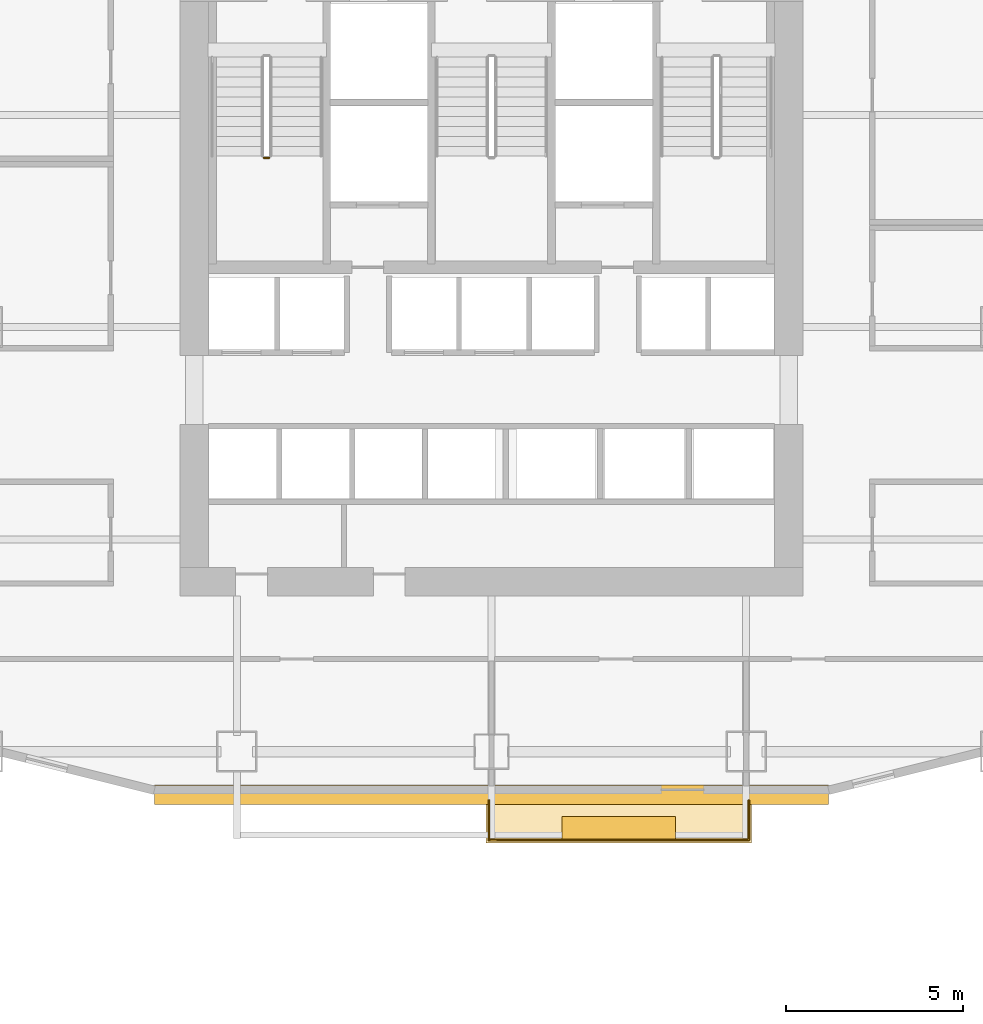
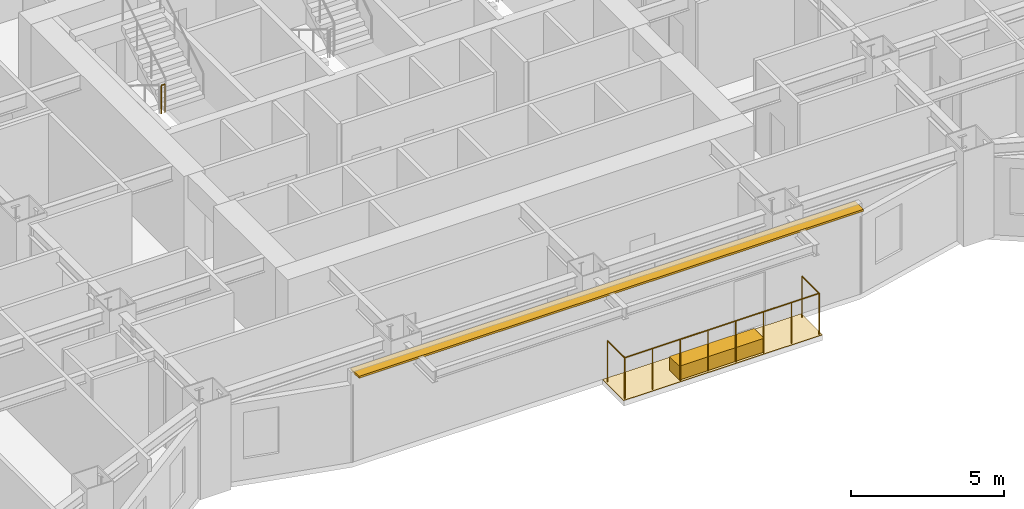
# One storey, part 14 of 17: 3 railings, 2 coverings, 1 shading device.
"""IFC4 building model written with IfcOpenShell, lengths in metres."""

from ifc_helpers import new_model, si_unit, direction, frame, origin, origin_2d, place, context, subcontext, project, spatial, polyline, rectangle, circle, outline, extrude, material, layer, layer_set, type_object, element, save


model = new_model("IFC4")

# Units and contexts
model_context = context("Model", 3, precision=1e-05, world=origin(), true_north=direction((0.0, 1.0)))
body_context = subcontext(model_context, "Body", "Model", "MODEL_VIEW")
ifc_project = project(units=[si_unit("LENGTHUNIT", "METRE"), si_unit("AREAUNIT", "SQUARE_METRE"), si_unit("VOLUMEUNIT", "CUBIC_METRE"), si_unit("PLANEANGLEUNIT", "RADIAN"), si_unit("MASSUNIT", "GRAM", prefix="KILO")], contexts=[model_context])

# Site, building, storey
site_placement = place(None, origin())
site = spatial("IfcSite", under=ifc_project, at=site_placement, CompositionType="ELEMENT")
building_placement = place(site_placement, origin())
building = spatial("IfcBuilding", under=site, at=building_placement, Name="Haolan Belvedere Tower", CompositionType="ELEMENT")
storey_placement = place(building_placement, frame((0.0, 0.0, 59.0)))
storey = spatial("IfcBuildingStorey", under=building, at=storey_placement, Name="L14", CompositionType="ELEMENT", Elevation=59.0)

# Coverings
ifc_material_1 = material(Name="Engineered lightweight planted garden soil substrate", Category="masonry")
ifc_layer_1 = layer(ifc_material_1, 0.550048828125, Name="Engineered lightweight planted garden soil substrate")
ifc_layer_set_1 = layer_set([ifc_layer_1], Name="Engineered lightweight planted garden soil substrate")
covering_type_1 = type_object("IfcCoveringType", Name="COV-PLANT-550", PredefinedType="MEMBRANE", material=ifc_layer_set_1)
covering_1_placement = place(storey_placement, frame((42.0, 19.43994140625, 0.0), z_axis=(0.0, 0.0, 1.0), x_axis=(1.0, 0.0, 0.0)))
element("IfcCovering", 1, at=covering_1_placement, inside=storey, type_object=covering_type_1, Name="L14 structural tree balcony PLANTER box 1", PredefinedType="MEMBRANE", context=body_context, shape_type="SweptSolid", body=[
    extrude(rectangle(XDim=3.199951171875, YDim=0.64990234375, at=origin_2d()), origin(), (0.0, 0.0, 1.0), 0.550048828125),
])
ifc_material_2 = material(Name="Elastomeric waterproof roofing membrane and stone pavers", Category="masonry")
ifc_layer_2 = layer(ifc_material_2, 0.02001953125, Name="Elastomeric waterproof roofing membrane and stone pavers")
ifc_layer_set_2 = layer_set([ifc_layer_2], Name="Elastomeric waterproof roofing membrane and stone pavers")
covering_type_2 = type_object("IfcCoveringType", Name="COV-ROOF-20", PredefinedType="ROOFING", material=ifc_layer_set_2)
covering_2_placement = place(storey_placement, frame((0.0, 0.0, -0.02001953125)))
element("IfcCovering", 2, at=covering_2_placement, inside=storey, type_object=covering_type_2, Name="L14 tree-balcony waterproof membrane 1", PredefinedType="ROOFING", context=body_context, shape_type="SweptSolid", body=[
    extrude(outline(polyline([(38.25, 19.02001953125), (45.75, 19.02001953125), (45.75, 20.39990234375), (38.25, 20.39990234375), (38.25, 19.02001953125)])), origin(), (0.0, 0.0, 1.0), 0.02001953125),
])

# Railings
ifc_material_3 = material(Name="Brushed stainless steel 304", Category="steel")
railing_type_1 = type_object("IfcRailingType", Name="RL-STAIR-GRD-1150", PredefinedType="GUARDRAIL", material=ifc_material_3)
railing_1_placement = place(storey_placement, frame((31.969970703125, 38.3798828125, 1.89990234375)))
element("IfcRailing", 3, at=railing_1_placement, inside=storey, type_object=railing_type_1, Name="L14 ST1 stair guard 2", PredefinedType="GUARDRAIL", context=body_context, shape_type="SweptSolid", body=[
    extrude(circle(Radius=0.02392578125, at=origin_2d()), frame((0.0, 0.0, 1.1259765625), z_axis=(1.0, 0.0, 0.0), x_axis=(0.0, 1.0, 0.0)), (0.0, 0.0, 1.0), 0.14013671875),
    extrude(circle(Radius=0.02099609375, at=origin_2d()), origin(), (0.0, 0.0, 1.0), 1.101806640625),
    extrude(circle(Radius=0.02099609375, at=origin_2d()), frame((0.14013671875, 0.0, 0.0)), (0.0, 0.0, 1.0), 1.101806640625),
])
ifc_material_4 = material(Name="Anodised aluminium and laminated glass balustrade", Category="aluminium")
railing_type_2 = type_object("IfcRailingType", Name="RL-TER-BAL-1150", PredefinedType="BALUSTRADE", material=ifc_material_4)
railing_2_placement = place(storey_placement, frame((38.330078125, 19.10009765625, 0.0)))
element("IfcRailing", 4, at=railing_2_placement, inside=storey, type_object=railing_type_2, Name="L14 outdoor perimeter balustrade BAL-L14-1-1", PredefinedType="BALUSTRADE", context=body_context, shape_type="SweptSolid", body=[
    extrude(circle(Radius=0.02392578125, at=origin_2d()), frame((0.0, 0.0, 1.6259765625), z_axis=(0.0, 1.0, 0.0), x_axis=(-1.0, 0.0, 0.0)), (0.0, 0.0, 1.0), 1.119873046875),
    extrude(circle(Radius=0.02099609375, at=origin_2d()), origin(), (0.0, 0.0, 1.0), 1.601806640625),
    extrude(circle(Radius=0.02099609375, at=origin_2d()), frame((0.0, 1.119873046875, 0.0)), (0.0, 0.0, 1.0), 1.601806640625),
])
railing_3_placement = place(storey_placement, frame((45.669921875, 20.219970703125, 0.0)))
element("IfcRailing", 5, at=railing_3_placement, inside=storey, type_object=railing_type_2, Name="L14 outdoor perimeter balustrade BAL-L14-1-2", PredefinedType="BALUSTRADE", context=body_context, shape_type="SweptSolid", body=[
    extrude(circle(Radius=0.02392578125, at=origin_2d()), frame((0.0, 0.0, 1.6259765625), z_axis=(0.0, -1.0, 0.0), x_axis=(1.0, 0.0, 0.0)), (0.0, 0.0, 1.0), 1.119873046875),
    extrude(circle(Radius=0.02392578125, at=origin_2d()), frame((0.0, -1.119873046875, 1.6259765625), z_axis=(-1.0, 0.0, 0.0), x_axis=(0.0, -1.0, 0.0)), (0.0, 0.0, 1.0), 7.33984375),
    extrude(circle(Radius=0.02099609375, at=origin_2d()), origin(), (0.0, 0.0, 1.0), 1.601806640625),
    extrude(circle(Radius=0.02099609375, at=origin_2d()), frame((0.0, -1.119873046875, 0.0)), (0.0, 0.0, 1.0), 1.601806640625),
    extrude(circle(Radius=0.02099609375, at=origin_2d()), frame((-1.048583984375, -1.119873046875, 0.0)), (0.0, 0.0, 1.0), 1.601806640625),
    extrude(circle(Radius=0.02099609375, at=origin_2d()), frame((-2.09716796875, -1.119873046875, 0.0)), (0.0, 0.0, 1.0), 1.601806640625),
    extrude(circle(Radius=0.02099609375, at=origin_2d()), frame((-3.145751953125, -1.119873046875, 0.0)), (0.0, 0.0, 1.0), 1.601806640625),
    extrude(circle(Radius=0.02099609375, at=origin_2d()), frame((-4.194091796875, -1.119873046875, 0.0)), (0.0, 0.0, 1.0), 1.601806640625),
    extrude(circle(Radius=0.02099609375, at=origin_2d()), frame((-5.24267578125, -1.119873046875, 0.0)), (0.0, 0.0, 1.0), 1.601806640625),
    extrude(circle(Radius=0.02099609375, at=origin_2d()), frame((-6.291259765625, -1.119873046875, 0.0)), (0.0, 0.0, 1.0), 1.601806640625),
    extrude(circle(Radius=0.02099609375, at=origin_2d()), frame((-7.33984375, -1.119873046875, 0.0)), (0.0, 0.0, 1.0), 1.601806640625),
])

# Shading device
ifc_material_5 = material(Name="Anodised champagne-silver aluminium 6063-T6", Category="aluminium")
ifc_layer_3 = layer(ifc_material_5, 0.080078125, Name="Anodised champagne-silver aluminium 6063-T6")
ifc_layer_set_3 = layer_set([ifc_layer_3], Name="Anodised champagne-silver aluminium 6063-T6")
shading_device_type = type_object("IfcShadingDeviceType", Name="SHD-SUN-550", PredefinedType="USERDEFINED", material=ifc_layer_set_3)
shading_device_placement = place(storey_placement, frame((38.39990234375, 20.3798828125, 3.5), z_axis=(0.0, 0.0, 1.0), x_axis=(1.0, 0.0, 0.0)))
element("IfcShadingDevice", 6, at=shading_device_placement, inside=storey, type_object=shading_device_type, Name="L14 pale-metal horizontal SUNSHADE band 13.1", ObjectType="SUNSHADE", PredefinedType="USERDEFINED", context=body_context, shape_type="SweptSolid", body=[
    extrude(rectangle(XDim=19.040283203125, YDim=0.550048828125, at=origin_2d()), origin(), (0.0, 0.0, 1.0), 0.080078125),
])

save(model, "model.ifc")
